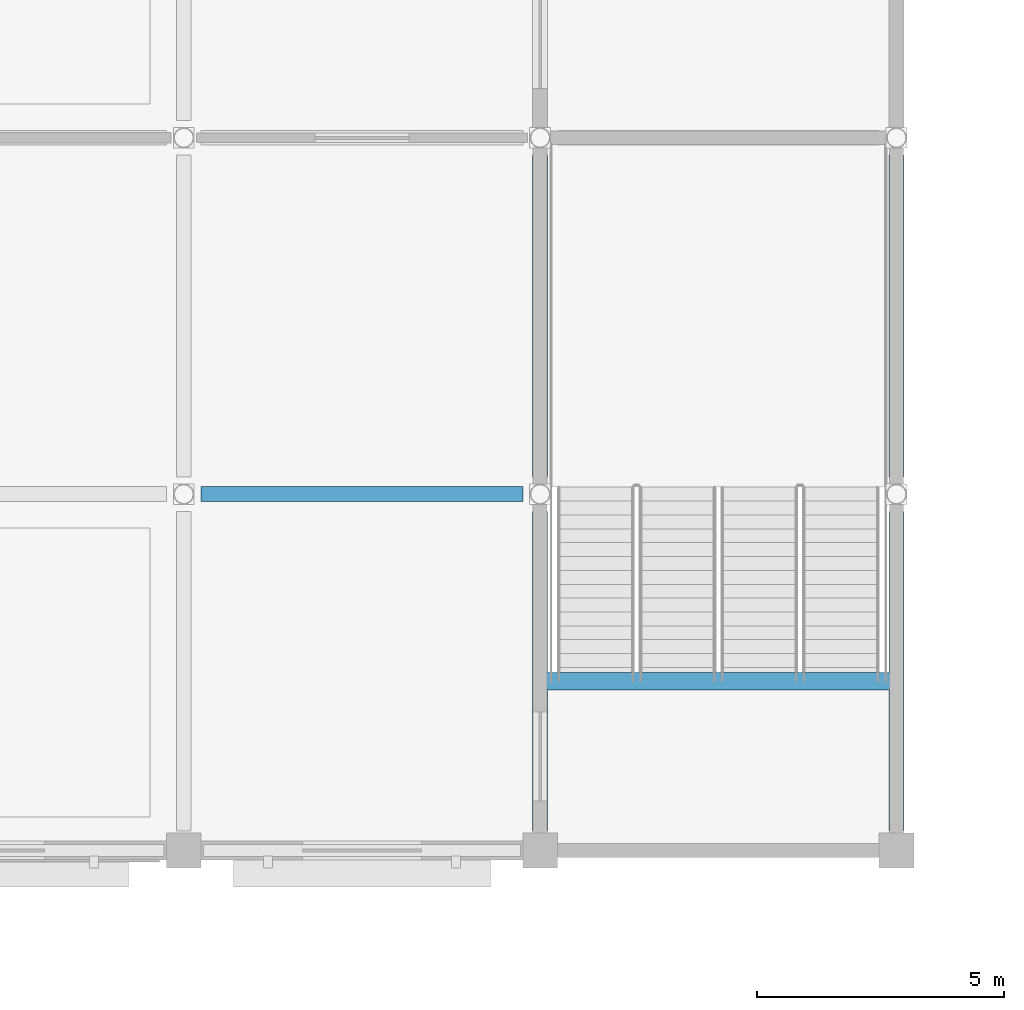
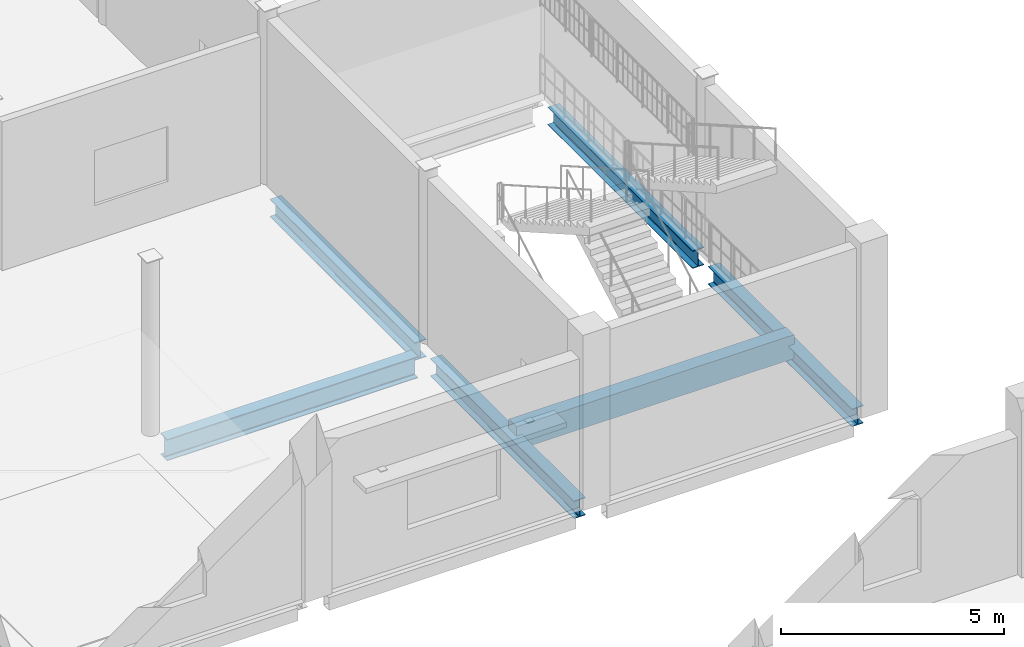
# One storey, part 74 of 120: 6 beams.
"""IFC4 building model written with IfcOpenShell, lengths in metres."""

from ifc_helpers import new_model, si_unit, direction, frame, origin, origin_2d, place, context, subcontext, project, spatial, rectangle, i_section, extrude, material, material_profile, profile_set, type_object, element, save


model = new_model("IFC4")

# Units and contexts
model_context = context("Model", 3, precision=1e-05, world=origin(), true_north=direction((0.0, 1.0)))
body_context = subcontext(model_context, "Body", "Model", "MODEL_VIEW")
ifc_project = project(units=[si_unit("LENGTHUNIT", "METRE"), si_unit("AREAUNIT", "SQUARE_METRE"), si_unit("VOLUMEUNIT", "CUBIC_METRE"), si_unit("PLANEANGLEUNIT", "RADIAN"), si_unit("MASSUNIT", "GRAM", prefix="KILO")], contexts=[model_context])

# Site, building, storey
site_placement = place(None, origin())
site = spatial("IfcSite", under=ifc_project, at=site_placement, CompositionType="ELEMENT")
building_placement = place(site_placement, origin())
building = spatial("IfcBuilding", under=site, at=building_placement, Name="Vesperath Aquatics Centre", CompositionType="ELEMENT")
storey_placement = place(building_placement, frame((0.0, 0.0, 10.199951171875)))
storey = spatial("IfcBuildingStorey", under=building, at=storey_placement, Name="L02", CompositionType="ELEMENT", Elevation=10.199951171875)

# Beams
ifc_material_1 = material(Name="Concrete C35", Category="concrete")
ifc_material_profile_1 = material_profile(ifc_material_1, rectangle(XDim=0.35009765625, YDim=0.64990234375, at=origin_2d()), Name="RC 350x650")
ifc_profile_set_1 = profile_set([ifc_material_profile_1], Name="Concrete C35")
beam_type_1 = type_object("IfcBeamType", Name="BM-G05", PredefinedType="BEAM", material=ifc_profile_set_1)
beam_1_placement = place(storey_placement, frame((165.60009765625, 53.820068359375, -0.324951171875), z_axis=(1.0, 0.0, 0.0), x_axis=(0.0, 1.0, 0.0)))
element("IfcBeam", 1, at=beam_1_placement, inside=storey, type_object=beam_type_1, Name="Stair ST12 Landing Trimmer Beam B05 L02", PredefinedType="BEAM", context=body_context, shape_type="SweptSolid", body=[
    extrude(rectangle(XDim=0.35009765625, YDim=0.64990234375, at=origin_2d()), origin(), (0.0, 0.0, 1.0), 7.199951171875),
])
ifc_material_2 = material(Name="Steel Q355C", Category="steel")
ifc_material_profile_2 = material_profile(ifc_material_2, i_section(OverallWidth=0.300048828125, OverallDepth=0.587890625, WebThickness=0.011962890625, FlangeThickness=0.02001953125, FilletRadius=0.028076171875, at=origin_2d()), Name="HM 588x300x12x20")
ifc_profile_set_2 = profile_set([ifc_material_profile_2], Name="Steel Q355C")
beam_type_2 = type_object("IfcBeamType", Name="BM-G09", PredefinedType="BEAM", material=ifc_profile_set_2)
beam_2_placement = place(storey_placement, frame((158.75, 57.60009765625, -0.553955078125), z_axis=(1.0, 0.0, 0.0), x_axis=(0.0, 1.0, 0.0)))
element("IfcBeam", 2, at=beam_2_placement, inside=storey, type_object=beam_type_2, Name="Floor Girder B09 L02 J 23-24", PredefinedType="BEAM", context=body_context, shape_type="SweptSolid", body=[
    extrude(i_section(OverallWidth=0.300048828125, OverallDepth=0.587890625, WebThickness=0.011962890625, FlangeThickness=0.02001953125, FilletRadius=0.028076171875, at=origin_2d()), origin(), (0.0, 0.0, 1.0), 6.5),
])
ifc_material_profile_3 = material_profile(ifc_material_2, i_section(OverallWidth=0.300048828125, OverallDepth=0.488037109375, WebThickness=0.010986328125, FlangeThickness=0.01806640625, FilletRadius=0.02587890625, at=origin_2d()), Name="HM 488x300x11x18")
ifc_profile_set_3 = profile_set([ifc_material_profile_3], Name="Steel Q355C")
beam_type_3 = type_object("IfcBeamType", Name="BM-G10", PredefinedType="BEAM", material=ifc_profile_set_3)
beam_3_placement = place(storey_placement, frame((165.60009765625, 50.800048828125, -0.50390625), z_axis=(0.0, 1.0, 0.0), x_axis=(-1.0, 0.0, 0.0)))
element("IfcBeam", 3, at=beam_3_placement, inside=storey, type_object=beam_type_3, Name="Floor Girder B10 L02 24 H-J", PredefinedType="BEAM", context=body_context, shape_type="SweptSolid", body=[
    extrude(i_section(OverallWidth=0.300048828125, OverallDepth=0.488037109375, WebThickness=0.010986328125, FlangeThickness=0.01806640625, FilletRadius=0.02587890625, at=origin_2d()), origin(), (0.0, 0.0, 1.0), 6.449951171875),
])
beam_4_placement = place(storey_placement, frame((165.60009765625, 57.949951171875, -0.50390625), z_axis=(0.0, 1.0, 0.0), x_axis=(-1.0, 0.0, 0.0)))
element("IfcBeam", 4, at=beam_4_placement, inside=storey, type_object=beam_type_3, Name="Floor Girder B10 L02 24 J-K", PredefinedType="BEAM", context=body_context, shape_type="SweptSolid", body=[
    extrude(i_section(OverallWidth=0.300048828125, OverallDepth=0.488037109375, WebThickness=0.010986328125, FlangeThickness=0.01806640625, FilletRadius=0.02587890625, at=origin_2d()), origin(), (0.0, 0.0, 1.0), 6.5),
])
beam_5_placement = place(storey_placement, frame((172.800048828125, 50.800048828125, -0.50390625), z_axis=(0.0, 1.0, 0.0), x_axis=(-1.0, 0.0, 0.0)))
element("IfcBeam", 5, at=beam_5_placement, inside=storey, type_object=beam_type_3, Name="Floor Girder B10 L02 25 H-J", PredefinedType="BEAM", context=body_context, shape_type="SweptSolid", body=[
    extrude(i_section(OverallWidth=0.300048828125, OverallDepth=0.488037109375, WebThickness=0.010986328125, FlangeThickness=0.01806640625, FilletRadius=0.02587890625, at=origin_2d()), origin(), (0.0, 0.0, 1.0), 6.449951171875),
])
beam_6_placement = place(storey_placement, frame((172.800048828125, 57.949951171875, -0.50390625), z_axis=(0.0, 1.0, 0.0), x_axis=(-1.0, 0.0, 0.0)))
element("IfcBeam", 6, at=beam_6_placement, inside=storey, type_object=beam_type_3, Name="Floor Girder B10 L02 25 J-K", PredefinedType="BEAM", context=body_context, shape_type="SweptSolid", body=[
    extrude(i_section(OverallWidth=0.300048828125, OverallDepth=0.488037109375, WebThickness=0.010986328125, FlangeThickness=0.01806640625, FilletRadius=0.02587890625, at=origin_2d()), origin(), (0.0, 0.0, 1.0), 6.5),
])

save(model, "model.ifc")
